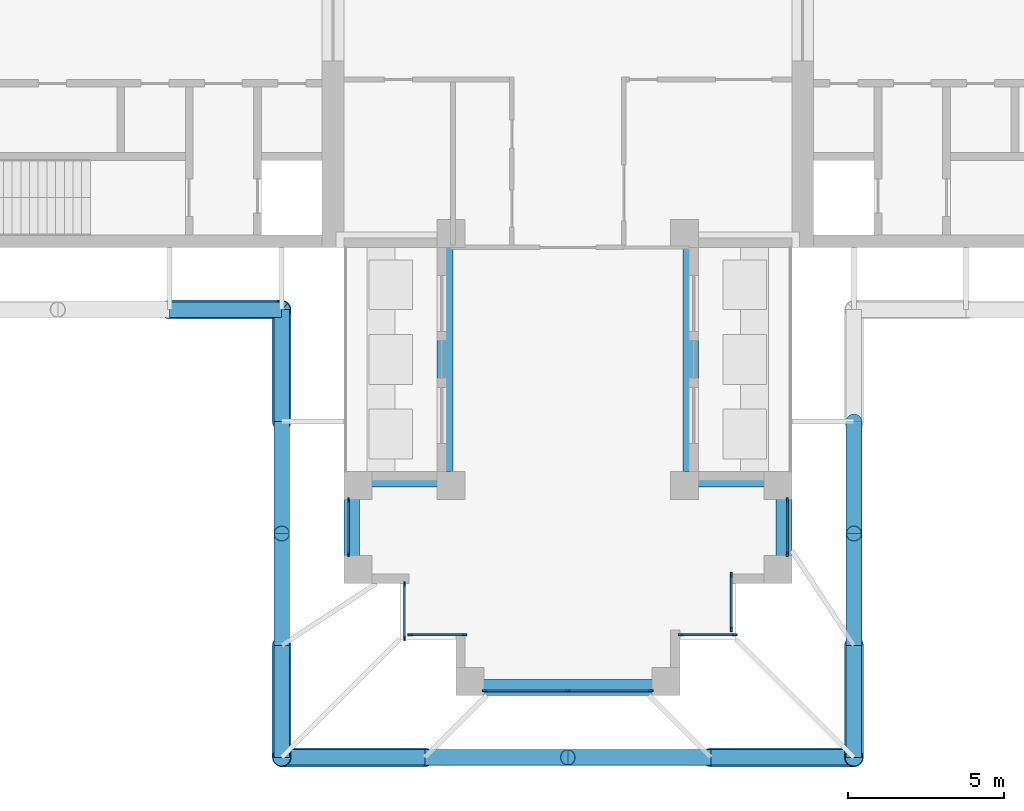
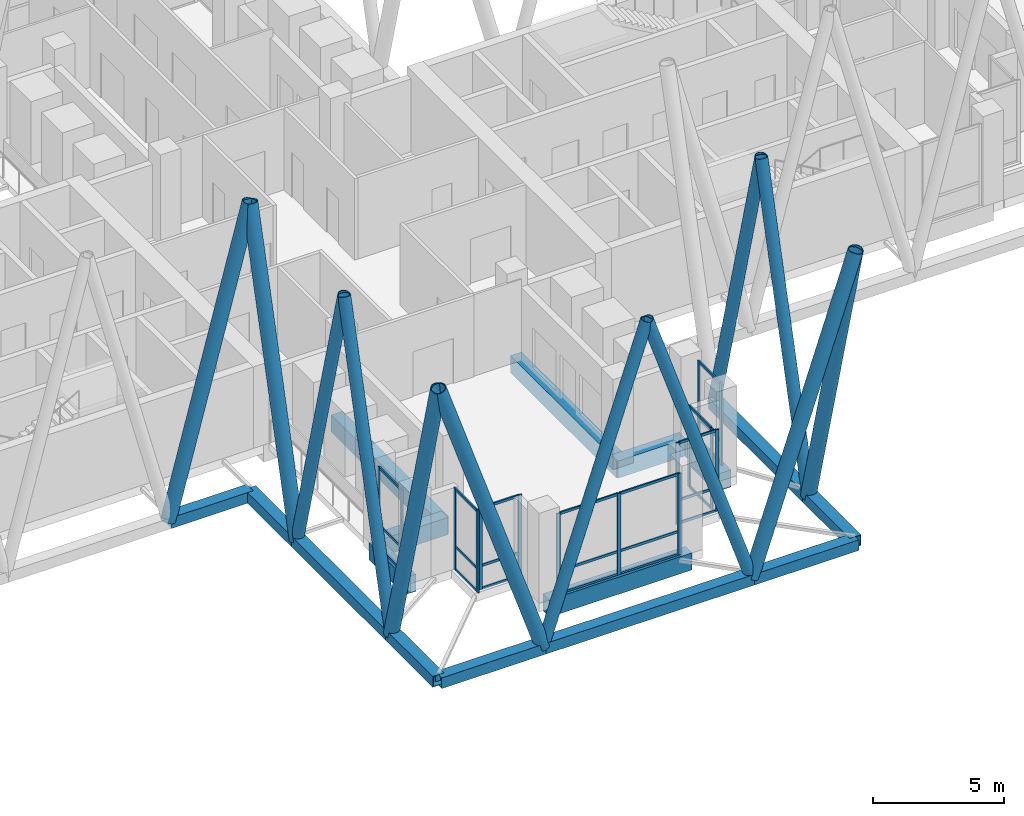
# One storey, part 4 of 19: 60 members, 7 beams, 7 elements without a shape of their own.
"""IFC4 building model written with IfcOpenShell, lengths in metres."""

import ifcopenshell
import ifcopenshell.guid

model = None  # the IFC model being written
_history = None  # IfcOwnerHistory: only IFC2X3 demands one
_inside = {}  # id of a spatial element -> (the spatial element, [elements in it])
_under = {}  # id of a project, library or spatial element -> (it, [spatial elements below it])
_declared = {}  # id of a project -> (the project, [libraries it declares])
_typed = {}  # id of a type object -> (the type object, [elements of that type])
_made_of = {}  # id of a material, layer set ... -> (it, [elements and type objects made of it])


def new_model(schema):
    """Start an empty IFC model of exactly this schema.

    Asked for "IFC4X3", IfcOpenShell would pick the latest addendum, in which some entities
    have other attributes; the version numbers below select the first issue.
    IFC2X3 requires an IfcOwnerHistory on every rooted entity: one is made here for all.
    """
    global model, _history
    if schema == "IFC4X3":
        model = ifcopenshell.file(schema_version=(4, 3, 0, 0))
    else:
        model = ifcopenshell.file(schema=schema)
    _inside.clear()
    _under.clear()
    _declared.clear()
    _typed.clear()
    _made_of.clear()
    _history = None
    if model.schema == "IFC2X3":
        org = make("IfcOrganization", Name="unknown")
        user = make(
            "IfcPersonAndOrganization",
            ThePerson=make("IfcPerson", FamilyName="unknown"),
            TheOrganization=org,
        )
        app = make(
            "IfcApplication",
            ApplicationDeveloper=org,
            Version="unknown",
            ApplicationFullName="unknown",
            ApplicationIdentifier="unknown",
        )
        _history = make(
            "IfcOwnerHistory",
            OwningUser=user,
            OwningApplication=app,
            ChangeAction="ADDED",
            CreationDate=0,
        )
    return model


def make(cls, **values):
    """One entity of the class cls with the attributes given. An attribute that is None is left unset."""
    return model.create_entity(
        cls, **{name: value for name, value in values.items() if value is not None}
    )


def rooted(cls, **values):
    """An entity with a GlobalId (a new one), such as an element, a storey or a relation."""
    return make(cls, GlobalId=ifcopenshell.guid.new(), OwnerHistory=_history, **values)


def si_unit(unit_type, name, prefix=None):
    """IfcSIUnit, for example si_unit("LENGTHUNIT", "METRE", prefix="MILLI")."""
    return make("IfcSIUnit", UnitType=unit_type, Prefix=prefix, Name=name)


def assignment(units):
    """IfcUnitAssignment: the units of a project."""
    return None if units is None else make("IfcUnitAssignment", Units=units)


def point(xyz):
    """IfcCartesianPoint."""
    return None if xyz is None else make("IfcCartesianPoint", Coordinates=xyz)


def direction(xyz):
    """IfcDirection."""
    return None if xyz is None else make("IfcDirection", DirectionRatios=xyz)


def frame(location, z_axis=None, x_axis=None):
    """IfcAxis2Placement3D, a coordinate frame: its origin and axes. An axis left out is left unset."""
    return make(
        "IfcAxis2Placement3D",
        Location=point(location),
        Axis=direction(z_axis),
        RefDirection=direction(x_axis),
    )


def frame_2d(location, x_axis=None):
    """IfcAxis2Placement2D, a coordinate frame in the plane: its origin and x axis."""
    return make(
        "IfcAxis2Placement2D", Location=point(location), RefDirection=direction(x_axis)
    )


def origin():
    """The frame at (0, 0, 0) with its axes left unset."""
    return frame((0.0, 0.0, 0.0))


def origin_2d():
    """The frame at (0, 0) in the plane with its x axis left unset."""
    return frame_2d((0.0, 0.0))


def place(relative_to, where):
    """IfcLocalPlacement: puts the frame where relative to a parent placement (None: the world)."""
    return make(
        "IfcLocalPlacement", PlacementRelTo=relative_to, RelativePlacement=where
    )


def context(
    kind, dimensions, precision=None, world=None, true_north=None, identifier=None
):
    """IfcGeometricRepresentationContext, for example the 3D "Model" context."""
    return make(
        "IfcGeometricRepresentationContext",
        ContextIdentifier=identifier,
        ContextType=kind,
        CoordinateSpaceDimension=dimensions,
        Precision=precision,
        WorldCoordinateSystem=world,
        TrueNorth=true_north,
    )


def subcontext(parent, identifier, kind, view, scale=None):
    """IfcGeometricRepresentationSubContext, for example "Body" below "Model"."""
    return make(
        "IfcGeometricRepresentationSubContext",
        ContextIdentifier=identifier,
        ContextType=kind,
        ParentContext=parent,
        TargetScale=scale,
        TargetView=view,
    )


def project(units=None, contexts=None):
    """IfcProject with its units and contexts."""
    return rooted(
        "IfcProject",
        Name="project",
        RepresentationContexts=contexts,
        UnitsInContext=assignment(units),
    )


def spatial(cls, under=None, at=None, **own):
    """A site, building, storey or space (cls), placed at a placement, below another one or the project."""
    s = rooted(cls, ObjectPlacement=at, **own)
    if under is not None:
        _under.setdefault(under.id(), (under, []))[1].append(s)
    return s


def profile(cls, at=None, kind="AREA", **sizes):
    """A parametric profile (cls). Its sizes go by their IFC names, for example OverallWidth=200.0."""
    return make(cls, ProfileType=kind, Position=at, **sizes)


def rectangle(**sizes):
    """IfcRectangleProfileDef."""
    return profile("IfcRectangleProfileDef", **sizes)


def hollow_rectangle(**sizes):
    """IfcRectangleHollowProfileDef."""
    return profile("IfcRectangleHollowProfileDef", **sizes)


def hollow_circle(**sizes):
    """IfcCircleHollowProfileDef."""
    return profile("IfcCircleHollowProfileDef", **sizes)


def extrude(swept, where, along, depth):
    """IfcExtrudedAreaSolid: the profile swept, set in the frame where, extruded along a direction by depth."""
    return make(
        "IfcExtrudedAreaSolid",
        SweptArea=swept,
        Position=where,
        ExtrudedDirection=direction(along),
        Depth=depth,
    )


def shape(context_of_items, identifier, shape_type, items):
    """IfcShapeRepresentation: the items that make up one representation, for example the "Body"."""
    return make(
        "IfcShapeRepresentation",
        ContextOfItems=context_of_items,
        RepresentationIdentifier=identifier,
        RepresentationType=shape_type,
        Items=items,
    )


def material(Name=None, Category=None):
    """IfcMaterial."""
    return make("IfcMaterial", Name=Name, Category=Category)


def material_profile(
    of_material, cross_section, Name=None, Category=None, Priority=None
):
    """IfcMaterialProfile: a cross section and its material."""
    return make(
        "IfcMaterialProfile",
        Name=Name,
        Material=of_material,
        Profile=cross_section,
        Priority=Priority,
        Category=Category,
    )


def profile_set(profiles, Name=None, composite=None):
    """IfcMaterialProfileSet."""
    return make(
        "IfcMaterialProfileSet",
        Name=Name,
        MaterialProfiles=profiles,
        CompositeProfile=composite,
    )


def made_of(thing, what):
    """Note that an element or type object is made of a material, layer set ...; save() writes the relation."""
    if what is not None:
        _made_of.setdefault(what.id(), (what, []))[1].append(thing)
    return thing


def type_object(cls, material=None, **own):
    """A type object (cls), such as IfcWallType, which elements share."""
    return made_of(rooted(cls, **own), material)


def element(
    cls,
    number,
    at=None,
    inside=None,
    cuts=None,
    type_object=None,
    material=None,
    context=None,
    identifier="Body",
    shape_type=None,
    held_by="IfcProductDefinitionShape",
    body=None,
    shapes=None,
    **own,
):
    """One element of the class cls, such as IfcWall. Its Tag is "e" and its number.

    at: its placement. inside: the storey or other place that contains it. cuts: it is an
    opening in that element (IfcRelVoidsElement). A single representation is given by context,
    identifier, shape_type and body (its items); several are given by shapes. held_by: the class
    of the entity that holds the representations. save() writes the other relations.
    """
    e = rooted(cls, Tag="e%d" % number, ObjectPlacement=at, **own)
    if body is not None:
        shapes = [shape(context, identifier, shape_type, body)]
    if shapes is not None:
        e.Representation = make(held_by, Representations=shapes)
    if inside is not None:
        _inside.setdefault(inside.id(), (inside, []))[1].append(e)
    if cuts is not None:
        rooted(
            "IfcRelVoidsElement", RelatingBuildingElement=cuts, RelatedOpeningElement=e
        )
    if type_object is not None:
        _typed.setdefault(type_object.id(), (type_object, []))[1].append(e)
    return made_of(e, material)


def aggregate(whole, parts):
    """IfcRelAggregates: a whole, such as a stair, and the parts it consists of."""
    return rooted("IfcRelAggregates", RelatingObject=whole, RelatedObjects=parts)


def save(model, path):
    """Write the relations noted so far, then the file.

    IfcRelAggregates (storeys below a building ...), IfcRelContainedInSpatialStructure (elements
    in a storey), IfcRelDefinesByType, IfcRelAssociatesMaterial and IfcRelDeclares: one each for
    every whole, place, type object, material and project.
    """
    for whole, parts in _under.values():
        aggregate(whole, parts)
    for where, things in _inside.values():
        rooted(
            "IfcRelContainedInSpatialStructure",
            RelatedElements=things,
            RelatingStructure=where,
        )
    for kind, things in _typed.values():
        rooted("IfcRelDefinesByType", RelatedObjects=things, RelatingType=kind)
    for what, things in _made_of.values():
        rooted("IfcRelAssociatesMaterial", RelatedObjects=things, RelatingMaterial=what)
    for by, libraries in _declared.values():
        rooted("IfcRelDeclares", RelatingContext=by, RelatedDefinitions=libraries)
    model.write(path)


model = new_model("IFC4")

# Units and contexts
model_context = context("Model", 3, precision=1e-05, world=origin(), true_north=direction((0.0, 1.0)))
body_context = subcontext(model_context, "Body", "Model", "MODEL_VIEW")
ifc_project = project(units=[si_unit("LENGTHUNIT", "METRE"), si_unit("AREAUNIT", "SQUARE_METRE"), si_unit("VOLUMEUNIT", "CUBIC_METRE"), si_unit("PLANEANGLEUNIT", "RADIAN"), si_unit("MASSUNIT", "GRAM", prefix="KILO")], contexts=[model_context])

# Site, building, storey
site_placement = place(None, origin())
site = spatial("IfcSite", under=ifc_project, at=site_placement, CompositionType="ELEMENT")
building_placement = place(site_placement, origin())
building = spatial("IfcBuilding", under=site, at=building_placement, Name="Fustian Cross Tower", CompositionType="ELEMENT")
storey_placement = place(building_placement, frame((0.0, 0.0, 166.5)))
storey = spatial("IfcBuildingStorey", under=building, at=storey_placement, Name="L52", CompositionType="ELEMENT", Elevation=166.5)

# Curtain wall, members
ifc_material_1 = material(Name="Dark anodised aluminium and double glazing", Category="aluminium")
curtain_wall_type = type_object("IfcCurtainWallType", Name="CW1 LOUNGE CURTAIN WALL", PredefinedType="NOTDEFINED", material=ifc_material_1)
curtain_wall_1_placement = place(storey_placement, origin())
curtain_wall_1 = element("IfcCurtainWall", 1, at=curtain_wall_1_placement, inside=storey, type_object=curtain_wall_type, Name="Curtain wall", PredefinedType="NOTDEFINED")
ifc_material_2 = material(Name="Aluminium alloy 6063", Category="aluminium")
ifc_material_profile_1 = material_profile(ifc_material_2, rectangle(XDim=0.06005859375, YDim=0.159912109375, at=origin_2d()), Name="CW1 MULLION 60X160")
ifc_profile_set_1 = profile_set([ifc_material_profile_1], Name="Aluminium alloy 6063")
member_type_1 = type_object("IfcMemberType", Name="CW1 MULLION 60X160", PredefinedType="MULLION", material=ifc_profile_set_1)
member_1_placement = place(storey_placement, frame((-7.050048828125, -15.330078125, 0.0), z_axis=(0.0, 0.0, 1.0), x_axis=(1.0, 0.0, 0.0)))
member_1 = element("IfcMember", 2, at=member_1_placement, type_object=member_type_1, Name="CW1 mullion 1", PredefinedType="MULLION", context=body_context, shape_type="SweptSolid", body=[
    extrude(rectangle(XDim=0.06005859375, YDim=0.159912109375, at=origin_2d()), origin(), (0.0, 0.0, 1.0), 3.800048828125),
])
member_2_placement = place(storey_placement, frame((-7.050048828125, -17.070068359375, 0.0), z_axis=(0.0, 0.0, 1.0), x_axis=(1.0, 0.0, 0.0)))
member_2 = element("IfcMember", 3, at=member_2_placement, type_object=member_type_1, Name="CW1 mullion 2", PredefinedType="MULLION", context=body_context, shape_type="SweptSolid", body=[
    extrude(rectangle(XDim=0.06005859375, YDim=0.159912109375, at=origin_2d()), origin(), (0.0, 0.0, 1.0), 3.800048828125),
])

curtain_wall_2_placement = place(storey_placement, origin())
curtain_wall_2 = element("IfcCurtainWall", 4, at=curtain_wall_2_placement, inside=storey, type_object=curtain_wall_type, Name="Curtain wall", PredefinedType="NOTDEFINED")
member_3_placement = place(storey_placement, frame((-5.25, -18.030029296875, 0.0), z_axis=(0.0, 0.0, 1.0), x_axis=(1.0, 0.0, 0.0)))
member_3 = element("IfcMember", 5, at=member_3_placement, type_object=member_type_1, Name="CW1 mullion 1", PredefinedType="MULLION", context=body_context, shape_type="SweptSolid", body=[
    extrude(rectangle(XDim=0.06005859375, YDim=0.159912109375, at=origin_2d()), origin(), (0.0, 0.0, 1.0), 3.800048828125),
])
member_4_placement = place(storey_placement, frame((-5.25, -19.77001953125, 0.0), z_axis=(0.0, 0.0, 1.0), x_axis=(1.0, 0.0, 0.0)))
member_4 = element("IfcMember", 6, at=member_4_placement, type_object=member_type_1, Name="CW1 mullion 2", PredefinedType="MULLION", context=body_context, shape_type="SweptSolid", body=[
    extrude(rectangle(XDim=0.06005859375, YDim=0.159912109375, at=origin_2d()), origin(), (0.0, 0.0, 1.0), 3.800048828125),
])

curtain_wall_3_placement = place(storey_placement, origin())
curtain_wall_3 = element("IfcCurtainWall", 7, at=curtain_wall_3_placement, inside=storey, type_object=curtain_wall_type, Name="Curtain wall", PredefinedType="NOTDEFINED")
member_5_placement = place(storey_placement, frame((-5.070068359375, -19.64990234375, 0.0), z_axis=(0.0, 0.0, 1.0), x_axis=(0.0, 1.0, 0.0)))
member_5 = element("IfcMember", 8, at=member_5_placement, type_object=member_type_1, Name="CW1 mullion 1", PredefinedType="MULLION", context=body_context, shape_type="SweptSolid", body=[
    extrude(rectangle(XDim=0.06005859375, YDim=0.159912109375, at=origin_2d()), origin(), (0.0, 0.0, 1.0), 3.800048828125),
])
member_6_placement = place(storey_placement, frame((-3.330078125, -19.64990234375, 0.0), z_axis=(0.0, 0.0, 1.0), x_axis=(0.0, 1.0, 0.0)))
member_6 = element("IfcMember", 9, at=member_6_placement, type_object=member_type_1, Name="CW1 mullion 2", PredefinedType="MULLION", context=body_context, shape_type="SweptSolid", body=[
    extrude(rectangle(XDim=0.06005859375, YDim=0.159912109375, at=origin_2d()), origin(), (0.0, 0.0, 1.0), 3.800048828125),
])

curtain_wall_4_placement = place(storey_placement, origin())
curtain_wall_4 = element("IfcCurtainWall", 10, at=curtain_wall_4_placement, inside=storey, type_object=curtain_wall_type, Name="Curtain wall", PredefinedType="NOTDEFINED")
member_7_placement = place(storey_placement, frame((-2.669921875, -21.449951171875, 0.0), z_axis=(0.0, 0.0, 1.0), x_axis=(0.0, 1.0, 0.0)))
member_7 = element("IfcMember", 11, at=member_7_placement, type_object=member_type_1, Name="CW1 mullion 1", PredefinedType="MULLION", context=body_context, shape_type="SweptSolid", body=[
    extrude(rectangle(XDim=0.06005859375, YDim=0.159912109375, at=origin_2d()), origin(), (0.0, 0.0, 1.0), 3.800048828125),
])
member_8_placement = place(storey_placement, frame((0.0, -21.449951171875, 0.0), z_axis=(0.0, 0.0, 1.0), x_axis=(0.0, 1.0, 0.0)))
member_8 = element("IfcMember", 12, at=member_8_placement, type_object=member_type_1, Name="CW1 mullion 2", PredefinedType="MULLION", context=body_context, shape_type="SweptSolid", body=[
    extrude(rectangle(XDim=0.06005859375, YDim=0.159912109375, at=origin_2d()), origin(), (0.0, 0.0, 1.0), 3.800048828125),
])
member_9_placement = place(storey_placement, frame((2.669921875, -21.449951171875, 0.0), z_axis=(0.0, 0.0, 1.0), x_axis=(0.0, 1.0, 0.0)))
member_9 = element("IfcMember", 13, at=member_9_placement, type_object=member_type_1, Name="CW1 mullion 3", PredefinedType="MULLION", context=body_context, shape_type="SweptSolid", body=[
    extrude(rectangle(XDim=0.06005859375, YDim=0.159912109375, at=origin_2d()), origin(), (0.0, 0.0, 1.0), 3.800048828125),
])

curtain_wall_5_placement = place(storey_placement, origin())
curtain_wall_5 = element("IfcCurtainWall", 14, at=curtain_wall_5_placement, inside=storey, type_object=curtain_wall_type, Name="Curtain wall", PredefinedType="NOTDEFINED")
member_10_placement = place(storey_placement, frame((3.6298828125, -19.64990234375, 0.0), z_axis=(0.0, 0.0, 1.0), x_axis=(0.0, 1.0, 0.0)))
member_10 = element("IfcMember", 15, at=member_10_placement, type_object=member_type_1, Name="CW1 mullion 1", PredefinedType="MULLION", context=body_context, shape_type="SweptSolid", body=[
    extrude(rectangle(XDim=0.06005859375, YDim=0.159912109375, at=origin_2d()), origin(), (0.0, 0.0, 1.0), 3.800048828125),
])
member_11_placement = place(storey_placement, frame((5.3701171875, -19.64990234375, 0.0), z_axis=(0.0, 0.0, 1.0), x_axis=(0.0, 1.0, 0.0)))
member_11 = element("IfcMember", 16, at=member_11_placement, type_object=member_type_1, Name="CW1 mullion 2", PredefinedType="MULLION", context=body_context, shape_type="SweptSolid", body=[
    extrude(rectangle(XDim=0.06005859375, YDim=0.159912109375, at=origin_2d()), origin(), (0.0, 0.0, 1.0), 3.800048828125),
])

curtain_wall_6_placement = place(storey_placement, origin())
curtain_wall_6 = element("IfcCurtainWall", 17, at=curtain_wall_6_placement, inside=storey, type_object=curtain_wall_type, Name="Curtain wall", PredefinedType="NOTDEFINED")
member_12_placement = place(storey_placement, frame((5.25, -19.469970703125, 0.0), z_axis=(0.0, 0.0, 1.0), x_axis=(-1.0, 0.0, 0.0)))
member_12 = element("IfcMember", 18, at=member_12_placement, type_object=member_type_1, Name="CW1 mullion 1", PredefinedType="MULLION", context=body_context, shape_type="SweptSolid", body=[
    extrude(rectangle(XDim=0.06005859375, YDim=0.159912109375, at=origin_2d()), origin(), (0.0, 0.0, 1.0), 3.800048828125),
])
member_13_placement = place(storey_placement, frame((5.25, -17.72998046875, 0.0), z_axis=(0.0, 0.0, 1.0), x_axis=(-1.0, 0.0, 0.0)))
member_13 = element("IfcMember", 19, at=member_13_placement, type_object=member_type_1, Name="CW1 mullion 2", PredefinedType="MULLION", context=body_context, shape_type="SweptSolid", body=[
    extrude(rectangle(XDim=0.06005859375, YDim=0.159912109375, at=origin_2d()), origin(), (0.0, 0.0, 1.0), 3.800048828125),
])

curtain_wall_7_placement = place(storey_placement, origin())
curtain_wall_7 = element("IfcCurtainWall", 20, at=curtain_wall_7_placement, inside=storey, type_object=curtain_wall_type, Name="Curtain wall", PredefinedType="NOTDEFINED")
member_14_placement = place(storey_placement, frame((7.050048828125, -17.070068359375, 0.0), z_axis=(0.0, 0.0, 1.0), x_axis=(-1.0, 0.0, 0.0)))
member_14 = element("IfcMember", 21, at=member_14_placement, type_object=member_type_1, Name="CW1 mullion 1", PredefinedType="MULLION", context=body_context, shape_type="SweptSolid", body=[
    extrude(rectangle(XDim=0.06005859375, YDim=0.159912109375, at=origin_2d()), origin(), (0.0, 0.0, 1.0), 3.800048828125),
])
member_15_placement = place(storey_placement, frame((7.050048828125, -15.330078125, 0.0), z_axis=(0.0, 0.0, 1.0), x_axis=(-1.0, 0.0, 0.0)))
member_15 = element("IfcMember", 22, at=member_15_placement, type_object=member_type_1, Name="CW1 mullion 2", PredefinedType="MULLION", context=body_context, shape_type="SweptSolid", body=[
    extrude(rectangle(XDim=0.06005859375, YDim=0.159912109375, at=origin_2d()), origin(), (0.0, 0.0, 1.0), 3.800048828125),
])

# Member
ifc_material_3 = material(Name="Aluminium alloy 6063", Category="aluminium")
ifc_material_profile_2 = material_profile(ifc_material_3, rectangle(XDim=0.06005859375, YDim=0.1201171875, at=origin_2d()), Name="CW1 TRANSOM 60X120")
ifc_profile_set_2 = profile_set([ifc_material_profile_2], Name="Aluminium alloy 6063")
member_type_2 = type_object("IfcMemberType", Name="CW1 TRANSOM 60X120", PredefinedType="USERDEFINED", material=ifc_profile_set_2)
member_16_placement = place(storey_placement, frame((-7.050048828125, -15.360107421875, 0.030029296875), z_axis=(0.0, -1.0, 0.0), x_axis=(1.0, 0.0, 0.0)))
member_16 = element("IfcMember", 23, at=member_16_placement, type_object=member_type_2, Name="CW1 transom 1.1", ObjectType="TRANSOM", PredefinedType="USERDEFINED", context=body_context, shape_type="SweptSolid", body=[
    extrude(rectangle(XDim=0.06005859375, YDim=0.1201171875, at=origin_2d()), origin(), (0.0, 0.0, 1.0), 1.679931640625),
])

member_17_placement = place(storey_placement, frame((-7.050048828125, -15.360107421875, 1.10009765625), z_axis=(0.0, -1.0, 0.0), x_axis=(1.0, 0.0, 0.0)))
member_17 = element("IfcMember", 24, at=member_17_placement, type_object=member_type_2, Name="CW1 transom 1.2", ObjectType="TRANSOM", PredefinedType="USERDEFINED", context=body_context, shape_type="SweptSolid", body=[
    extrude(rectangle(XDim=0.06005859375, YDim=0.1201171875, at=origin_2d()), origin(), (0.0, 0.0, 1.0), 1.679931640625),
])

member_18_placement = place(storey_placement, frame((-7.050048828125, -15.360107421875, 3.77001953125), z_axis=(0.0, -1.0, 0.0), x_axis=(1.0, 0.0, 0.0)))
member_18 = element("IfcMember", 25, at=member_18_placement, type_object=member_type_2, Name="CW1 transom 1.3", ObjectType="TRANSOM", PredefinedType="USERDEFINED", context=body_context, shape_type="SweptSolid", body=[
    extrude(rectangle(XDim=0.06005859375, YDim=0.1201171875, at=origin_2d()), origin(), (0.0, 0.0, 1.0), 1.679931640625),
])

aggregate(curtain_wall_1, [member_1, member_2, member_16, member_17, member_18])

member_19_placement = place(storey_placement, frame((-5.25, -18.06005859375, 0.030029296875), z_axis=(0.0, -1.0, 0.0), x_axis=(1.0, 0.0, 0.0)))
member_19 = element("IfcMember", 26, at=member_19_placement, type_object=member_type_2, Name="CW1 transom 1.1", ObjectType="TRANSOM", PredefinedType="USERDEFINED", context=body_context, shape_type="SweptSolid", body=[
    extrude(rectangle(XDim=0.06005859375, YDim=0.1201171875, at=origin_2d()), origin(), (0.0, 0.0, 1.0), 1.679931640625),
])

member_20_placement = place(storey_placement, frame((-5.25, -18.06005859375, 1.10009765625), z_axis=(0.0, -1.0, 0.0), x_axis=(1.0, 0.0, 0.0)))
member_20 = element("IfcMember", 27, at=member_20_placement, type_object=member_type_2, Name="CW1 transom 1.2", ObjectType="TRANSOM", PredefinedType="USERDEFINED", context=body_context, shape_type="SweptSolid", body=[
    extrude(rectangle(XDim=0.06005859375, YDim=0.1201171875, at=origin_2d()), origin(), (0.0, 0.0, 1.0), 1.679931640625),
])

member_21_placement = place(storey_placement, frame((-5.25, -18.06005859375, 3.77001953125), z_axis=(0.0, -1.0, 0.0), x_axis=(1.0, 0.0, 0.0)))
member_21 = element("IfcMember", 28, at=member_21_placement, type_object=member_type_2, Name="CW1 transom 1.3", ObjectType="TRANSOM", PredefinedType="USERDEFINED", context=body_context, shape_type="SweptSolid", body=[
    extrude(rectangle(XDim=0.06005859375, YDim=0.1201171875, at=origin_2d()), origin(), (0.0, 0.0, 1.0), 1.679931640625),
])

aggregate(curtain_wall_2, [member_3, member_4, member_19, member_20, member_21])

member_22_placement = place(storey_placement, frame((-5.0400390625, -19.64990234375, 0.030029296875), z_axis=(1.0, 0.0, 0.0), x_axis=(0.0, 1.0, 0.0)))
member_22 = element("IfcMember", 29, at=member_22_placement, type_object=member_type_2, Name="CW1 transom 1.1", ObjectType="TRANSOM", PredefinedType="USERDEFINED", context=body_context, shape_type="SweptSolid", body=[
    extrude(rectangle(XDim=0.06005859375, YDim=0.1201171875, at=origin_2d()), origin(), (0.0, 0.0, 1.0), 1.679931640625),
])

member_23_placement = place(storey_placement, frame((-5.0400390625, -19.64990234375, 1.10009765625), z_axis=(1.0, 0.0, 0.0), x_axis=(0.0, 1.0, 0.0)))
member_23 = element("IfcMember", 30, at=member_23_placement, type_object=member_type_2, Name="CW1 transom 1.2", ObjectType="TRANSOM", PredefinedType="USERDEFINED", context=body_context, shape_type="SweptSolid", body=[
    extrude(rectangle(XDim=0.06005859375, YDim=0.1201171875, at=origin_2d()), origin(), (0.0, 0.0, 1.0), 1.679931640625),
])

member_24_placement = place(storey_placement, frame((-5.0400390625, -19.64990234375, 3.77001953125), z_axis=(1.0, 0.0, 0.0), x_axis=(0.0, 1.0, 0.0)))
member_24 = element("IfcMember", 31, at=member_24_placement, type_object=member_type_2, Name="CW1 transom 1.3", ObjectType="TRANSOM", PredefinedType="USERDEFINED", context=body_context, shape_type="SweptSolid", body=[
    extrude(rectangle(XDim=0.06005859375, YDim=0.1201171875, at=origin_2d()), origin(), (0.0, 0.0, 1.0), 1.679931640625),
])

aggregate(curtain_wall_3, [member_5, member_6, member_22, member_23, member_24])

member_25_placement = place(storey_placement, frame((-2.639892578125, -21.449951171875, 0.030029296875), z_axis=(1.0, 0.0, 0.0), x_axis=(0.0, 1.0, 0.0)))
member_25 = element("IfcMember", 32, at=member_25_placement, type_object=member_type_2, Name="CW1 transom 1.1", ObjectType="TRANSOM", PredefinedType="USERDEFINED", context=body_context, shape_type="SweptSolid", body=[
    extrude(rectangle(XDim=0.06005859375, YDim=0.1201171875, at=origin_2d()), origin(), (0.0, 0.0, 1.0), 2.60986328125),
])

member_26_placement = place(storey_placement, frame((-2.639892578125, -21.449951171875, 1.10009765625), z_axis=(1.0, 0.0, 0.0), x_axis=(0.0, 1.0, 0.0)))
member_26 = element("IfcMember", 33, at=member_26_placement, type_object=member_type_2, Name="CW1 transom 1.2", ObjectType="TRANSOM", PredefinedType="USERDEFINED", context=body_context, shape_type="SweptSolid", body=[
    extrude(rectangle(XDim=0.06005859375, YDim=0.1201171875, at=origin_2d()), origin(), (0.0, 0.0, 1.0), 2.60986328125),
])

member_27_placement = place(storey_placement, frame((-2.639892578125, -21.449951171875, 3.77001953125), z_axis=(1.0, 0.0, 0.0), x_axis=(0.0, 1.0, 0.0)))
member_27 = element("IfcMember", 34, at=member_27_placement, type_object=member_type_2, Name="CW1 transom 1.3", ObjectType="TRANSOM", PredefinedType="USERDEFINED", context=body_context, shape_type="SweptSolid", body=[
    extrude(rectangle(XDim=0.06005859375, YDim=0.1201171875, at=origin_2d()), origin(), (0.0, 0.0, 1.0), 2.60986328125),
])

member_28_placement = place(storey_placement, frame((0.030029296875, -21.449951171875, 0.030029296875), z_axis=(1.0, 0.0, 0.0), x_axis=(0.0, 1.0, 0.0)))
member_28 = element("IfcMember", 35, at=member_28_placement, type_object=member_type_2, Name="CW1 transom 2.1", ObjectType="TRANSOM", PredefinedType="USERDEFINED", context=body_context, shape_type="SweptSolid", body=[
    extrude(rectangle(XDim=0.06005859375, YDim=0.1201171875, at=origin_2d()), origin(), (0.0, 0.0, 1.0), 2.60986328125),
])

member_29_placement = place(storey_placement, frame((0.030029296875, -21.449951171875, 1.10009765625), z_axis=(1.0, 0.0, 0.0), x_axis=(0.0, 1.0, 0.0)))
member_29 = element("IfcMember", 36, at=member_29_placement, type_object=member_type_2, Name="CW1 transom 2.2", ObjectType="TRANSOM", PredefinedType="USERDEFINED", context=body_context, shape_type="SweptSolid", body=[
    extrude(rectangle(XDim=0.06005859375, YDim=0.1201171875, at=origin_2d()), origin(), (0.0, 0.0, 1.0), 2.60986328125),
])

member_30_placement = place(storey_placement, frame((0.030029296875, -21.449951171875, 3.77001953125), z_axis=(1.0, 0.0, 0.0), x_axis=(0.0, 1.0, 0.0)))
member_30 = element("IfcMember", 37, at=member_30_placement, type_object=member_type_2, Name="CW1 transom 2.3", ObjectType="TRANSOM", PredefinedType="USERDEFINED", context=body_context, shape_type="SweptSolid", body=[
    extrude(rectangle(XDim=0.06005859375, YDim=0.1201171875, at=origin_2d()), origin(), (0.0, 0.0, 1.0), 2.60986328125),
])

aggregate(curtain_wall_4, [member_7, member_8, member_9, member_25, member_26, member_27, member_28, member_29, member_30])

member_31_placement = place(storey_placement, frame((3.659912109375, -19.64990234375, 0.030029296875), z_axis=(1.0, 0.0, 0.0), x_axis=(0.0, 1.0, 0.0)))
member_31 = element("IfcMember", 38, at=member_31_placement, type_object=member_type_2, Name="CW1 transom 1.1", ObjectType="TRANSOM", PredefinedType="USERDEFINED", context=body_context, shape_type="SweptSolid", body=[
    extrude(rectangle(XDim=0.06005859375, YDim=0.1201171875, at=origin_2d()), origin(), (0.0, 0.0, 1.0), 1.68017578125),
])

member_32_placement = place(storey_placement, frame((3.659912109375, -19.64990234375, 1.10009765625), z_axis=(1.0, 0.0, 0.0), x_axis=(0.0, 1.0, 0.0)))
member_32 = element("IfcMember", 39, at=member_32_placement, type_object=member_type_2, Name="CW1 transom 1.2", ObjectType="TRANSOM", PredefinedType="USERDEFINED", context=body_context, shape_type="SweptSolid", body=[
    extrude(rectangle(XDim=0.06005859375, YDim=0.1201171875, at=origin_2d()), origin(), (0.0, 0.0, 1.0), 1.68017578125),
])

member_33_placement = place(storey_placement, frame((3.659912109375, -19.64990234375, 3.77001953125), z_axis=(1.0, 0.0, 0.0), x_axis=(0.0, 1.0, 0.0)))
member_33 = element("IfcMember", 40, at=member_33_placement, type_object=member_type_2, Name="CW1 transom 1.3", ObjectType="TRANSOM", PredefinedType="USERDEFINED", context=body_context, shape_type="SweptSolid", body=[
    extrude(rectangle(XDim=0.06005859375, YDim=0.1201171875, at=origin_2d()), origin(), (0.0, 0.0, 1.0), 1.68017578125),
])

aggregate(curtain_wall_5, [member_10, member_11, member_31, member_32, member_33])

member_34_placement = place(storey_placement, frame((5.25, -19.43994140625, 0.030029296875), z_axis=(0.0, 1.0, 0.0), x_axis=(-1.0, 0.0, 0.0)))
member_34 = element("IfcMember", 41, at=member_34_placement, type_object=member_type_2, Name="CW1 transom 1.1", ObjectType="TRANSOM", PredefinedType="USERDEFINED", context=body_context, shape_type="SweptSolid", body=[
    extrude(rectangle(XDim=0.06005859375, YDim=0.1201171875, at=origin_2d()), origin(), (0.0, 0.0, 1.0), 1.679931640625),
])

member_35_placement = place(storey_placement, frame((5.25, -19.43994140625, 1.10009765625), z_axis=(0.0, 1.0, 0.0), x_axis=(-1.0, 0.0, 0.0)))
member_35 = element("IfcMember", 42, at=member_35_placement, type_object=member_type_2, Name="CW1 transom 1.2", ObjectType="TRANSOM", PredefinedType="USERDEFINED", context=body_context, shape_type="SweptSolid", body=[
    extrude(rectangle(XDim=0.06005859375, YDim=0.1201171875, at=origin_2d()), origin(), (0.0, 0.0, 1.0), 1.679931640625),
])

member_36_placement = place(storey_placement, frame((5.25, -19.43994140625, 3.77001953125), z_axis=(0.0, 1.0, 0.0), x_axis=(-1.0, 0.0, 0.0)))
member_36 = element("IfcMember", 43, at=member_36_placement, type_object=member_type_2, Name="CW1 transom 1.3", ObjectType="TRANSOM", PredefinedType="USERDEFINED", context=body_context, shape_type="SweptSolid", body=[
    extrude(rectangle(XDim=0.06005859375, YDim=0.1201171875, at=origin_2d()), origin(), (0.0, 0.0, 1.0), 1.679931640625),
])

aggregate(curtain_wall_6, [member_12, member_13, member_34, member_35, member_36])

member_37_placement = place(storey_placement, frame((7.050048828125, -17.0400390625, 0.030029296875), z_axis=(0.0, 1.0, 0.0), x_axis=(-1.0, 0.0, 0.0)))
member_37 = element("IfcMember", 44, at=member_37_placement, type_object=member_type_2, Name="CW1 transom 1.1", ObjectType="TRANSOM", PredefinedType="USERDEFINED", context=body_context, shape_type="SweptSolid", body=[
    extrude(rectangle(XDim=0.06005859375, YDim=0.1201171875, at=origin_2d()), origin(), (0.0, 0.0, 1.0), 1.679931640625),
])

member_38_placement = place(storey_placement, frame((7.050048828125, -17.0400390625, 1.10009765625), z_axis=(0.0, 1.0, 0.0), x_axis=(-1.0, 0.0, 0.0)))
member_38 = element("IfcMember", 45, at=member_38_placement, type_object=member_type_2, Name="CW1 transom 1.2", ObjectType="TRANSOM", PredefinedType="USERDEFINED", context=body_context, shape_type="SweptSolid", body=[
    extrude(rectangle(XDim=0.06005859375, YDim=0.1201171875, at=origin_2d()), origin(), (0.0, 0.0, 1.0), 1.679931640625),
])

member_39_placement = place(storey_placement, frame((7.050048828125, -17.0400390625, 3.77001953125), z_axis=(0.0, 1.0, 0.0), x_axis=(-1.0, 0.0, 0.0)))
member_39 = element("IfcMember", 46, at=member_39_placement, type_object=member_type_2, Name="CW1 transom 1.3", ObjectType="TRANSOM", PredefinedType="USERDEFINED", context=body_context, shape_type="SweptSolid", body=[
    extrude(rectangle(XDim=0.06005859375, YDim=0.1201171875, at=origin_2d()), origin(), (0.0, 0.0, 1.0), 1.679931640625),
])

aggregate(curtain_wall_7, [member_14, member_15, member_37, member_38, member_39])

# Members
ifc_material_4 = material(Name="Steel S355", Category="steel")
ifc_material_profile_3 = material_profile(ifc_material_4, hollow_circle(Radius=0.25390625, WallThickness=0.02001953125, at=origin_2d()), Name="CHS 508x20")
ifc_profile_set_3 = profile_set([ifc_material_profile_3], Name="Steel S355")
member_type_3 = type_object("IfcMemberType", Name="DIAGRID DIAGONAL CHS 508x20", PredefinedType="BRACE", material=ifc_profile_set_3)
member_40_placement = place(storey_placement, frame((-9.199951171875, -12.800048828125, -0.39990234375), z_axis=(0.0, -0.255885405448, 0.966707121769), x_axis=(1.0, 0.0, 0.0)))
element("IfcMember", 47, at=member_40_placement, inside=storey, type_object=member_type_3, Name="Diagrid diagonal S-W 02", PredefinedType="BRACE", context=body_context, shape_type="SweptSolid", body=[
    extrude(hollow_circle(Radius=0.25390625, WallThickness=0.02001953125, at=origin_2d()), origin(), (0.0, 0.0, 1.0), 14.068115234375),
])
member_41_placement = place(storey_placement, frame((-9.199951171875, -20.0, -0.39990234375), z_axis=(0.0, 0.255901623089, 0.966702828847), x_axis=(-1.0, 0.0, 0.0)))
element("IfcMember", 48, at=member_41_placement, inside=storey, type_object=member_type_3, Name="Diagrid diagonal S-W 03", PredefinedType="BRACE", context=body_context, shape_type="SweptSolid", body=[
    extrude(hollow_circle(Radius=0.25390625, WallThickness=0.02001953125, at=origin_2d()), origin(), (0.0, 0.0, 1.0), 14.068359375),
])
for number, where, z_axis, x_axis, name in (
    (49, (-4.60009765625, -23.60009765625, -0.39990234375), (0.320413079221, 0.0, 0.947277920498), (0.0, 1.0, 0.0), "Diagrid diagonal S-end 02"),
    (50, (4.60009765625, -23.60009765625, -0.39990234375), (-0.320413079221, 0.0, 0.947277920498), (0.0, -1.0, 0.0), "Diagrid diagonal S-end 03"),
):
    element("IfcMember", number, at=place(storey_placement, frame(where, z_axis=z_axis, x_axis=x_axis)), inside=storey, type_object=member_type_3, Name=name, PredefinedType="BRACE", context=body_context, shape_type="SweptSolid", body=[
        extrude(hollow_circle(Radius=0.25390625, WallThickness=0.02001953125, at=origin_2d()), origin(), (0.0, 0.0, 1.0), 14.356689453125),
    ])
member_42_placement = place(storey_placement, frame((9.199951171875, -20.0, -0.39990234375), z_axis=(0.0, 0.255901623089, 0.966702828847), x_axis=(-1.0, 0.0, 0.0)))
element("IfcMember", 51, at=member_42_placement, inside=storey, type_object=member_type_3, Name="Diagrid diagonal S-E 02", PredefinedType="BRACE", context=body_context, shape_type="SweptSolid", body=[
    extrude(hollow_circle(Radius=0.25390625, WallThickness=0.02001953125, at=origin_2d()), origin(), (0.0, 0.0, 1.0), 14.068359375),
])
member_43_placement = place(storey_placement, frame((9.199951171875, -12.800048828125, -0.39990234375), z_axis=(0.0, -0.255885405448, 0.966707121769), x_axis=(1.0, 0.0, 0.0)))
element("IfcMember", 52, at=member_43_placement, inside=storey, type_object=member_type_3, Name="Diagrid diagonal S-E 03", PredefinedType="BRACE", context=body_context, shape_type="SweptSolid", body=[
    extrude(hollow_circle(Radius=0.25390625, WallThickness=0.02001953125, at=origin_2d()), origin(), (0.0, 0.0, 1.0), 14.068115234375),
])
ifc_material_5 = material(Name="Steel S355", Category="steel")
ifc_material_profile_4 = material_profile(ifc_material_5, hollow_circle(Radius=0.3046875, WallThickness=0.02490234375, at=origin_2d()), Name="CHS 610x25")
ifc_profile_set_4 = profile_set([ifc_material_profile_4], Name="Steel S355")
member_type_4 = type_object("IfcMemberType", Name="DIAGRID DIAGONAL CHS 610x25", PredefinedType="BRACE", material=ifc_profile_set_4)
for number, where, z_axis, x_axis, name in (
    (53, (-12.800048828125, -9.199951171875, -0.39990234375), (0.255901623089, 0.0, 0.966702828847), (0.0, 1.0, 0.0), "Diagrid diagonal W-S 10"),
    (54, (-9.199951171875, -12.800048828125, -0.39990234375), (0.0, 0.255901623089, 0.966702828847), (-1.0, 0.0, 0.0), "Diagrid diagonal S-W 01"),
    (55, (-9.199951171875, -20.0, -0.39990234375), (0.0, -0.255901623089, 0.966702828847), (1.0, 0.0, 0.0), "Diagrid diagonal S-W 04"),
):
    element("IfcMember", number, at=place(storey_placement, frame(where, z_axis=z_axis, x_axis=x_axis)), inside=storey, type_object=member_type_4, Name=name, PredefinedType="BRACE", context=body_context, shape_type="SweptSolid", body=[
        extrude(hollow_circle(Radius=0.3046875, WallThickness=0.02490234375, at=origin_2d()), origin(), (0.0, 0.0, 1.0), 14.068359375),
    ])
for number, where, z_axis, x_axis, name in (
    (56, (-4.60009765625, -23.60009765625, -0.39990234375), (-0.320397819675, 0.0, 0.947283081844), (0.0, -1.0, 0.0), "Diagrid diagonal S-end 01"),
    (57, (4.60009765625, -23.60009765625, -0.39990234375), (0.320397819675, 0.0, 0.947283081844), (0.0, 1.0, 0.0), "Diagrid diagonal S-end 04"),
):
    element("IfcMember", number, at=place(storey_placement, frame(where, z_axis=z_axis, x_axis=x_axis)), inside=storey, type_object=member_type_4, Name=name, PredefinedType="BRACE", context=body_context, shape_type="SweptSolid", body=[
        extrude(hollow_circle(Radius=0.3046875, WallThickness=0.02490234375, at=origin_2d()), origin(), (0.0, 0.0, 1.0), 14.356689453125),
    ])
member_44_placement = place(storey_placement, frame((9.199951171875, -20.0, -0.39990234375), z_axis=(0.0, -0.255901623089, 0.966702828847), x_axis=(1.0, 0.0, 0.0)))
element("IfcMember", 58, at=member_44_placement, inside=storey, type_object=member_type_4, Name="Diagrid diagonal S-E 01", PredefinedType="BRACE", context=body_context, shape_type="SweptSolid", body=[
    extrude(hollow_circle(Radius=0.3046875, WallThickness=0.02490234375, at=origin_2d()), origin(), (0.0, 0.0, 1.0), 14.068359375),
])
ifc_material_6 = material(Name="Steel S355", Category="steel")
ifc_material_profile_5 = material_profile(ifc_material_6, hollow_rectangle(XDim=0.5, YDim=0.5, WallThickness=0.02490234375, at=origin_2d()), Name="RHS 500x500x25")
ifc_profile_set_5 = profile_set([ifc_material_profile_5], Name="Steel S355")
member_type_5 = type_object("IfcMemberType", Name="DIAGRID RING RHS 500x500x25", PredefinedType="MEMBER", material=ifc_profile_set_5)
for number, where, z_axis, x_axis, name in (
    (59, (-12.800048828125, -9.199951171875, -0.39990234375), (1.0, 0.0, 0.0), (0.0, 1.0, 0.0), "Diagrid ring L52-34 L52-35"),
    (60, (-9.199951171875, -9.199951171875, -0.39990234375), (0.0, -1.0, 0.0), (1.0, 0.0, 0.0), "Diagrid ring L52-35 L52-36"),
):
    element("IfcMember", number, at=place(storey_placement, frame(where, z_axis=z_axis, x_axis=x_axis)), inside=storey, type_object=member_type_5, Name=name, PredefinedType="MEMBER", context=body_context, shape_type="SweptSolid", body=[
        extrude(hollow_rectangle(XDim=0.5, YDim=0.5, WallThickness=0.02490234375, at=origin_2d()), origin(), (0.0, 0.0, 1.0), 3.60009765625),
    ])
member_45_placement = place(storey_placement, frame((-9.199951171875, -12.800048828125, -0.39990234375), z_axis=(0.0, -1.0, 0.0), x_axis=(1.0, 0.0, 0.0)))
element("IfcMember", 61, at=member_45_placement, inside=storey, type_object=member_type_5, Name="Diagrid ring L52-36 L52-37", PredefinedType="MEMBER", context=body_context, shape_type="SweptSolid", body=[
    extrude(hollow_rectangle(XDim=0.5, YDim=0.5, WallThickness=0.02490234375, at=origin_2d()), origin(), (0.0, 0.0, 1.0), 7.199951171875),
])
member_46_placement = place(storey_placement, frame((-9.199951171875, -20.0, -0.39990234375), z_axis=(0.0, -1.0, 0.0), x_axis=(1.0, 0.0, 0.0)))
element("IfcMember", 62, at=member_46_placement, inside=storey, type_object=member_type_5, Name="Diagrid ring L52-37 L52-38", PredefinedType="MEMBER", context=body_context, shape_type="SweptSolid", body=[
    extrude(hollow_rectangle(XDim=0.5, YDim=0.5, WallThickness=0.02490234375, at=origin_2d()), origin(), (0.0, 0.0, 1.0), 3.60009765625),
])
member_47_placement = place(storey_placement, frame((-9.199951171875, -23.60009765625, -0.39990234375), z_axis=(1.0, 0.0, 0.0), x_axis=(0.0, 1.0, 0.0)))
element("IfcMember", 63, at=member_47_placement, inside=storey, type_object=member_type_5, Name="Diagrid ring L52-38 L52-39", PredefinedType="MEMBER", context=body_context, shape_type="SweptSolid", body=[
    extrude(hollow_rectangle(XDim=0.5, YDim=0.5, WallThickness=0.02490234375, at=origin_2d()), origin(), (0.0, 0.0, 1.0), 4.599853515625),
])
member_48_placement = place(storey_placement, frame((-4.60009765625, -23.60009765625, -0.39990234375), z_axis=(1.0, 0.0, 0.0), x_axis=(0.0, 1.0, 0.0)))
element("IfcMember", 64, at=member_48_placement, inside=storey, type_object=member_type_5, Name="Diagrid ring L52-39 L52-40", PredefinedType="MEMBER", context=body_context, shape_type="SweptSolid", body=[
    extrude(hollow_rectangle(XDim=0.5, YDim=0.5, WallThickness=0.02490234375, at=origin_2d()), origin(), (0.0, 0.0, 1.0), 9.2001953125),
])
member_49_placement = place(storey_placement, frame((4.60009765625, -23.60009765625, -0.39990234375), z_axis=(1.0, 0.0, 0.0), x_axis=(0.0, 1.0, 0.0)))
element("IfcMember", 65, at=member_49_placement, inside=storey, type_object=member_type_5, Name="Diagrid ring L52-40 L52-41", PredefinedType="MEMBER", context=body_context, shape_type="SweptSolid", body=[
    extrude(hollow_rectangle(XDim=0.5, YDim=0.5, WallThickness=0.02490234375, at=origin_2d()), origin(), (0.0, 0.0, 1.0), 4.599853515625),
])
member_50_placement = place(storey_placement, frame((9.199951171875, -23.60009765625, -0.39990234375), z_axis=(0.0, 1.0, 0.0), x_axis=(-1.0, 0.0, 0.0)))
element("IfcMember", 66, at=member_50_placement, inside=storey, type_object=member_type_5, Name="Diagrid ring L52-41 L52-42", PredefinedType="MEMBER", context=body_context, shape_type="SweptSolid", body=[
    extrude(hollow_rectangle(XDim=0.5, YDim=0.5, WallThickness=0.02490234375, at=origin_2d()), origin(), (0.0, 0.0, 1.0), 3.60009765625),
])
member_51_placement = place(storey_placement, frame((9.199951171875, -20.0, -0.39990234375), z_axis=(0.0, 1.0, 0.0), x_axis=(-1.0, 0.0, 0.0)))
element("IfcMember", 67, at=member_51_placement, inside=storey, type_object=member_type_5, Name="Diagrid ring L52-42 L52-43", PredefinedType="MEMBER", context=body_context, shape_type="SweptSolid", body=[
    extrude(hollow_rectangle(XDim=0.5, YDim=0.5, WallThickness=0.02490234375, at=origin_2d()), origin(), (0.0, 0.0, 1.0), 7.199951171875),
])

# Beams
ifc_material_7 = material(Name="Concrete C50/60", Category="concrete")
ifc_material_profile_6 = material_profile(ifc_material_7, rectangle(XDim=0.5, YDim=0.800048828125, at=origin_2d()), Name="RC 500x800")
ifc_profile_set_6 = profile_set([ifc_material_profile_6], Name="Concrete C50/60")
beam_type = type_object("IfcBeamType", Name="EDGE BEAM RC 500x800 C50/60", PredefinedType="SPANDREL", material=ifc_profile_set_6)
beam_1_placement = place(storey_placement, frame((-3.949951171875, -6.75, -0.39990234375), z_axis=(0.0, -1.0, 0.0), x_axis=(1.0, 0.0, 0.0)))
element("IfcBeam", 68, at=beam_1_placement, inside=storey, type_object=beam_type, Name="EDGE BEAM L52-22", PredefinedType="SPANDREL", context=body_context, shape_type="SweptSolid", body=[
    extrude(rectangle(XDim=0.5, YDim=0.800048828125, at=origin_2d()), origin(), (0.0, 0.0, 1.0), 8.10009765625),
])
beam_2_placement = place(storey_placement, frame((-3.75, -14.64990234375, -0.39990234375), z_axis=(-1.0, 0.0, 0.0), x_axis=(0.0, -1.0, 0.0)))
element("IfcBeam", 69, at=beam_2_placement, inside=storey, type_object=beam_type, Name="EDGE BEAM L52-23", PredefinedType="SPANDREL", context=body_context, shape_type="SweptSolid", body=[
    extrude(rectangle(XDim=0.5, YDim=0.800048828125, at=origin_2d()), origin(), (0.0, 0.0, 1.0), 3.0),
])
beam_3_placement = place(storey_placement, frame((-6.949951171875, -14.85009765625, -0.39990234375), z_axis=(0.0, -1.0, 0.0), x_axis=(1.0, 0.0, 0.0)))
element("IfcBeam", 70, at=beam_3_placement, inside=storey, type_object=beam_type, Name="EDGE BEAM L52-24", PredefinedType="SPANDREL", context=body_context, shape_type="SweptSolid", body=[
    extrude(rectangle(XDim=0.5, YDim=0.800048828125, at=origin_2d()), origin(), (0.0, 0.0, 1.0), 2.699951171875),
])
beam_4_placement = place(storey_placement, frame((-3.14990234375, -21.35009765625, -0.39990234375), z_axis=(1.0, 0.0, 0.0), x_axis=(0.0, 1.0, 0.0)))
element("IfcBeam", 71, at=beam_4_placement, inside=storey, type_object=beam_type, Name="EDGE BEAM L52-25", PredefinedType="SPANDREL", context=body_context, shape_type="SweptSolid", body=[
    extrude(rectangle(XDim=0.5, YDim=0.800048828125, at=origin_2d()), origin(), (0.0, 0.0, 1.0), 6.2998046875),
])
beam_5_placement = place(storey_placement, frame((6.949951171875, -17.550048828125, -0.39990234375), z_axis=(0.0, 1.0, 0.0), x_axis=(-1.0, 0.0, 0.0)))
element("IfcBeam", 72, at=beam_5_placement, inside=storey, type_object=beam_type, Name="EDGE BEAM L52-26", PredefinedType="SPANDREL", context=body_context, shape_type="SweptSolid", body=[
    extrude(rectangle(XDim=0.5, YDim=0.800048828125, at=origin_2d()), origin(), (0.0, 0.0, 1.0), 2.699951171875),
])
beam_6_placement = place(storey_placement, frame((6.75, -14.64990234375, -0.39990234375), z_axis=(-1.0, 0.0, 0.0), x_axis=(0.0, -1.0, 0.0)))
element("IfcBeam", 73, at=beam_6_placement, inside=storey, type_object=beam_type, Name="EDGE BEAM L52-27", PredefinedType="SPANDREL", context=body_context, shape_type="SweptSolid", body=[
    extrude(rectangle(XDim=0.5, YDim=0.800048828125, at=origin_2d()), origin(), (0.0, 0.0, 1.0), 3.0),
])
beam_7_placement = place(storey_placement, frame((3.949951171875, -14.85009765625, -0.39990234375), z_axis=(0.0, 1.0, 0.0), x_axis=(-1.0, 0.0, 0.0)))
element("IfcBeam", 74, at=beam_7_placement, inside=storey, type_object=beam_type, Name="EDGE BEAM L52-28", PredefinedType="SPANDREL", context=body_context, shape_type="SweptSolid", body=[
    extrude(rectangle(XDim=0.5, YDim=0.800048828125, at=origin_2d()), origin(), (0.0, 0.0, 1.0), 8.10009765625),
])

save(model, "model.ifc")
